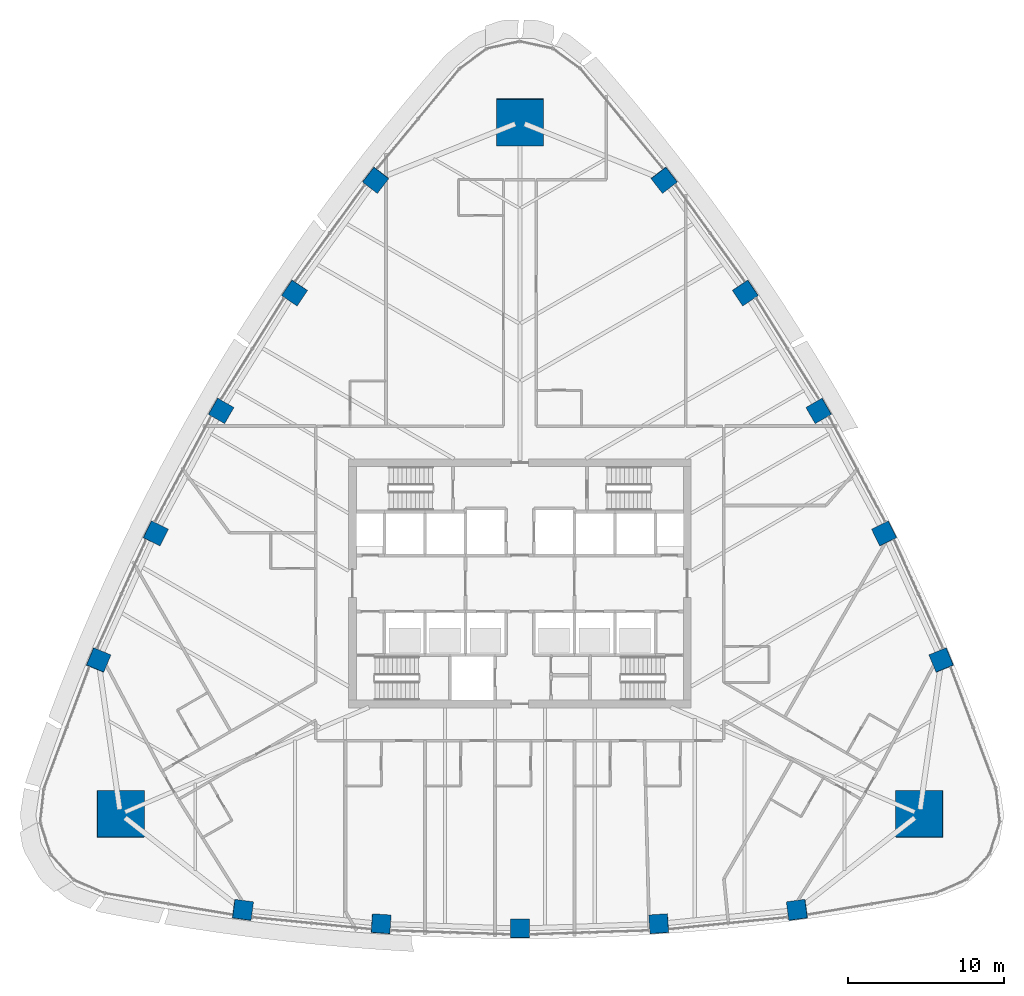
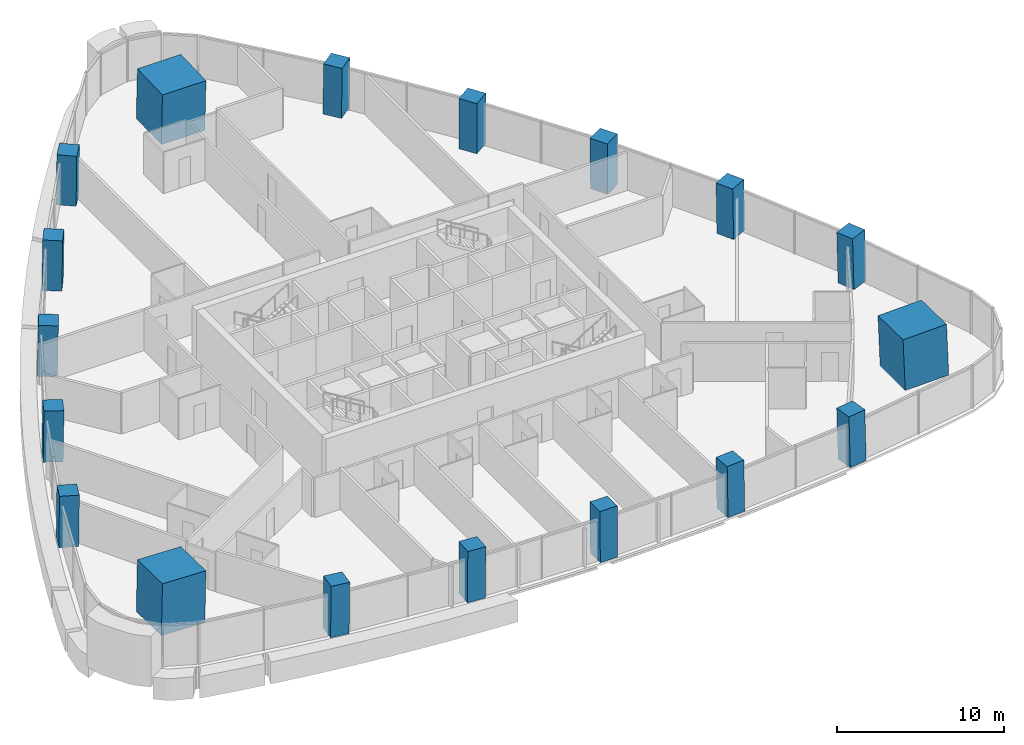
# One storey, part 1 of 17: 18 columns.
"""IFC4 building model written with IfcOpenShell, lengths in metres."""

from ifc_helpers import new_model, si_unit, direction, frame, origin, origin_2d, place, context, subcontext, project, spatial, rectangle, extrude, material, material_profile, profile_set, type_object, element, save


model = new_model("IFC4")

# Units and contexts
model_context = context("Model", 3, precision=1e-05, world=origin(), true_north=direction((0.0, 1.0)))
body_context = subcontext(model_context, "Body", "Model", "MODEL_VIEW")
ifc_project = project(units=[si_unit("LENGTHUNIT", "METRE"), si_unit("AREAUNIT", "SQUARE_METRE"), si_unit("VOLUMEUNIT", "CUBIC_METRE"), si_unit("PLANEANGLEUNIT", "RADIAN"), si_unit("MASSUNIT", "GRAM", prefix="KILO")], contexts=[model_context])

# Site, building, storey
site_placement = place(None, origin())
site = spatial("IfcSite", under=ifc_project, at=site_placement, CompositionType="ELEMENT")
building_placement = place(site_placement, origin())
building = spatial("IfcBuilding", under=site, at=building_placement, Name="Sierra Prisma Convention Tower", CompositionType="ELEMENT")
storey_placement = place(building_placement, frame((0.0, 0.0, 99.800048828125)))
storey = spatial("IfcBuildingStorey", under=building, at=storey_placement, Name="L21", CompositionType="ELEMENT", Elevation=99.800048828125)

# Columns
ifc_material_1 = material(Name="Concrete C60/75", Category="concrete")
ifc_material_profile_1 = material_profile(ifc_material_1, rectangle(XDim=3.0, YDim=3.0, at=origin_2d()), Name="Mega column RC 3000 C60/75")
ifc_profile_set_1 = profile_set([ifc_material_profile_1], Name="Concrete C60/75")
column_type_1 = type_object("IfcColumnType", Name="Mega column RC 3000 C60/75", PredefinedType="COLUMN", material=ifc_profile_set_1)
for number, where, z_axis, x_axis, name in (
    (1, (25.6591796875, -14.814453125, 0.0), (-0.030466109479, 0.017607037296, 0.999380712447), (0.999535800346, 0.000536667047, 0.03046138236), "Mega column SE L21"),
    (2, (0.0, 29.62890625, 0.0), (0.0, -0.035214042205, 0.999379793288), (1.0, 0.0, 0.0), "Mega column N L21"),
    (3, (-25.6591796875, -14.814453125, 0.0), (0.030466109479, 0.017607037296, 0.999380712447), (0.999535800346, -0.000536667047, -0.03046138236), "Mega column SW L21"),
):
    element("IfcColumn", number, at=place(storey_placement, frame(where, z_axis=z_axis, x_axis=x_axis)), inside=storey, type_object=column_type_1, Name=name, PredefinedType="COLUMN", context=body_context, shape_type="SweptSolid", body=[
        extrude(rectangle(XDim=3.0, YDim=3.0, at=origin_2d()), origin(), (0.0, 0.0, 1.0), 3.7021484375),
    ])
ifc_material_2 = material(Name="Concrete C60/75", Category="concrete")
ifc_material_profile_2 = material_profile(ifc_material_2, rectangle(XDim=1.199951171875, YDim=1.199951171875, at=origin_2d()), Name="Perimeter column RC 1200 C60/75")
ifc_profile_set_2 = profile_set([ifc_material_profile_2], Name="Concrete C60/75")
column_type_2 = type_object("IfcColumnType", Name="Perimeter column RC 1200 C60/75", PredefinedType="COLUMN", material=ifc_profile_set_2)
column_1_placement = place(storey_placement, frame((-17.80419921875, -20.97705078125, 0.0), z_axis=(0.019196808933, 0.011346567479, 0.99975133805), x_axis=(-0.99096351093, 0.132982750018, 0.01751879569)))
element("IfcColumn", 4, at=column_1_placement, inside=storey, type_object=column_type_2, Name="Perimeter column S-1 L21", PredefinedType="COLUMN", context=body_context, shape_type="SweptSolid", body=[
    extrude(rectangle(XDim=1.199951171875, YDim=1.199951171875, at=origin_2d()), origin(), (0.0, 0.0, 1.0), 3.700927734375),
])
column_2_placement = place(storey_placement, frame((-8.921875, -21.8671875, 0.0), z_axis=(0.009632635025, 0.012073782257, 0.999880710947), x_axis=(-0.997737791534, 0.066646321699, 0.008807221425)))
element("IfcColumn", 5, at=column_2_placement, inside=storey, type_object=column_type_2, Name="Perimeter column S-2 L21", PredefinedType="COLUMN", context=body_context, shape_type="SweptSolid", body=[
    extrude(rectangle(XDim=1.199951171875, YDim=1.199951171875, at=origin_2d()), origin(), (0.0, 0.0, 1.0), 3.700439453125),
])
column_3_placement = place(storey_placement, frame((0.0, -22.164306640625, 0.0), z_axis=(0.0, 0.012338222751, 0.999923881233), x_axis=(1.0, 0.0, 0.0)))
element("IfcColumn", 6, at=column_3_placement, inside=storey, type_object=column_type_2, Name="Perimeter column S-3 L21", PredefinedType="COLUMN", context=body_context, shape_type="SweptSolid", body=[
    extrude(rectangle(XDim=1.199951171875, YDim=1.199951171875, at=origin_2d()), origin(), (0.0, 0.0, 1.0), 3.7001953125),
])
column_4_placement = place(storey_placement, frame((8.921875, -21.8671875, 0.0), z_axis=(-0.009632635025, 0.012073782257, 0.999880710947), x_axis=(0.997737791534, 0.066646321699, 0.008807221425)))
element("IfcColumn", 7, at=column_4_placement, inside=storey, type_object=column_type_2, Name="Perimeter column S-4 L21", PredefinedType="COLUMN", context=body_context, shape_type="SweptSolid", body=[
    extrude(rectangle(XDim=1.199951171875, YDim=1.199951171875, at=origin_2d()), origin(), (0.0, 0.0, 1.0), 3.700439453125),
])
for number, where, z_axis, x_axis, name in (
    (8, (17.80419921875, -20.97705078125, 0.0), (-0.019196808933, 0.011346567479, 0.99975133805), (0.99096351093, 0.132982750018, 0.01751879569), "Perimeter column S-5 L21"),
    (9, (27.068603515625, -4.930419921875, 0.0), (-0.019394711647, 0.011016723963, 0.999751207528), (-0.380514646556, 0.924607960976, -0.017570493934), "Perimeter column NE-1 L21"),
):
    element("IfcColumn", number, at=place(storey_placement, frame(where, z_axis=z_axis, x_axis=x_axis)), inside=storey, type_object=column_type_2, Name=name, PredefinedType="COLUMN", context=body_context, shape_type="SweptSolid", body=[
        extrude(rectangle(XDim=1.199951171875, YDim=1.199951171875, at=origin_2d()), origin(), (0.0, 0.0, 1.0), 3.700927734375),
    ])
column_5_placement = place(storey_placement, frame((23.3984375, 3.20703125, 0.0), z_axis=(-0.015306644787, 0.002309192102, 0.99988017995), x_axis=(-0.441219239516, 0.897355932776, -0.008826811034)))
element("IfcColumn", 10, at=column_5_placement, inside=storey, type_object=column_type_2, Name="Perimeter column NE-2 L21", PredefinedType="COLUMN", context=body_context, shape_type="SweptSolid", body=[
    extrude(rectangle(XDim=1.199951171875, YDim=1.199951171875, at=origin_2d()), origin(), (0.0, 0.0, 1.0), 3.700439453125),
])
column_6_placement = place(storey_placement, frame((19.19482421875, 11.08203125, 0.0), z_axis=(-0.010688729499, -0.00613612249, 0.999924046647), x_axis=(-0.49997143695, 0.866041893524, -2.9922579e-05)))
element("IfcColumn", 11, at=column_6_placement, inside=storey, type_object=column_type_2, Name="Perimeter column NE-3 L21", PredefinedType="COLUMN", context=body_context, shape_type="SweptSolid", body=[
    extrude(rectangle(XDim=1.199951171875, YDim=1.199951171875, at=origin_2d()), origin(), (0.0, 0.0, 1.0), 3.7001953125),
])
column_7_placement = place(storey_placement, frame((14.4765625, 18.66015625, 0.0), z_axis=(-0.005674016471, -0.014382971985, 0.999880460682), x_axis=(-0.556504189266, 0.830798275307, 0.008792785466)))
element("IfcColumn", 12, at=column_7_placement, inside=storey, type_object=column_type_2, Name="Perimeter column NE-4 L21", PredefinedType="COLUMN", context=body_context, shape_type="SweptSolid", body=[
    extrude(rectangle(XDim=1.199951171875, YDim=1.199951171875, at=origin_2d()), origin(), (0.0, 0.0, 1.0), 3.700439453125),
])
for number, where, z_axis, x_axis, name in (
    (13, (9.2646484375, 25.9072265625, 0.0), (-0.000197905252, -0.022297325047, 0.999751364155), (-0.610559910175, 0.791775861116, 0.017538011305), "Perimeter column NE-5 L21"),
    (14, (-9.2646484375, 25.9072265625, 0.0), (0.000197905252, -0.022297325047, 0.999751364155), (0.610559910175, 0.791775861116, 0.017538011305), "Perimeter column NW-1 L21"),
):
    element("IfcColumn", number, at=place(storey_placement, frame(where, z_axis=z_axis, x_axis=x_axis)), inside=storey, type_object=column_type_2, Name=name, PredefinedType="COLUMN", context=body_context, shape_type="SweptSolid", body=[
        extrude(rectangle(XDim=1.199951171875, YDim=1.199951171875, at=origin_2d()), origin(), (0.0, 0.0, 1.0), 3.700927734375),
    ])
column_8_placement = place(storey_placement, frame((-14.4765625, 18.66015625, 0.0), z_axis=(0.005674016471, -0.014382971985, 0.999880460682), x_axis=(0.556504189266, 0.830798275307, 0.008792785466)))
element("IfcColumn", 15, at=column_8_placement, inside=storey, type_object=column_type_2, Name="Perimeter column NW-2 L21", PredefinedType="COLUMN", context=body_context, shape_type="SweptSolid", body=[
    extrude(rectangle(XDim=1.199951171875, YDim=1.199951171875, at=origin_2d()), origin(), (0.0, 0.0, 1.0), 3.700439453125),
])
column_9_placement = place(storey_placement, frame((-19.19482421875, 11.08203125, 0.0), z_axis=(0.010688729499, -0.00613612249, 0.999924046647), x_axis=(0.49997143695, 0.866041893524, -2.9922579e-05)))
element("IfcColumn", 16, at=column_9_placement, inside=storey, type_object=column_type_2, Name="Perimeter column NW-3 L21", PredefinedType="COLUMN", context=body_context, shape_type="SweptSolid", body=[
    extrude(rectangle(XDim=1.199951171875, YDim=1.199951171875, at=origin_2d()), origin(), (0.0, 0.0, 1.0), 3.7001953125),
])
column_10_placement = place(storey_placement, frame((-23.3984375, 3.20703125, 0.0), z_axis=(0.015306644787, 0.002309192102, 0.99988017995), x_axis=(0.441219239516, 0.897355932776, -0.008826811034)))
element("IfcColumn", 17, at=column_10_placement, inside=storey, type_object=column_type_2, Name="Perimeter column NW-4 L21", PredefinedType="COLUMN", context=body_context, shape_type="SweptSolid", body=[
    extrude(rectangle(XDim=1.199951171875, YDim=1.199951171875, at=origin_2d()), origin(), (0.0, 0.0, 1.0), 3.700439453125),
])
column_11_placement = place(storey_placement, frame((-27.068603515625, -4.930419921875, 0.0), z_axis=(0.019394711647, 0.011016723963, 0.999751207528), x_axis=(0.380514646556, 0.924607960976, -0.017570493934)))
element("IfcColumn", 18, at=column_11_placement, inside=storey, type_object=column_type_2, Name="Perimeter column NW-5 L21", PredefinedType="COLUMN", context=body_context, shape_type="SweptSolid", body=[
    extrude(rectangle(XDim=1.199951171875, YDim=1.199951171875, at=origin_2d()), origin(), (0.0, 0.0, 1.0), 3.700927734375),
])

save(model, "model.ifc")
